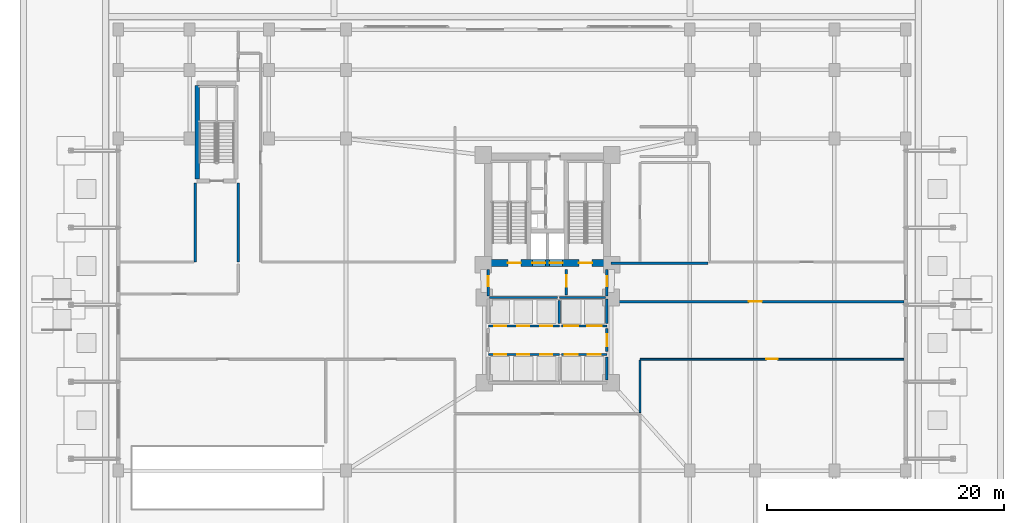
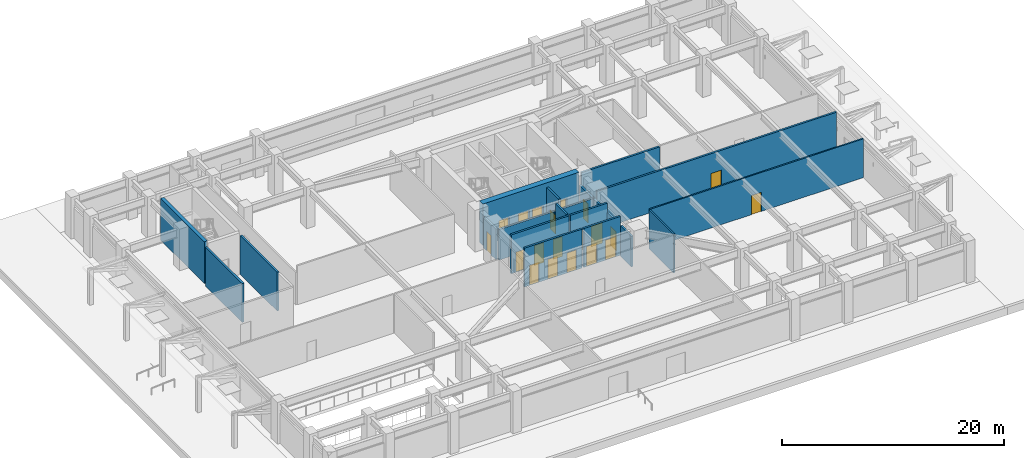
# One storey, part 17 of 23: 21 walls, 20 doors, 20 openings.
"""IFC4 building model written with IfcOpenShell, lengths in metres."""

from ifc_helpers import new_model, si_unit, direction, frame, frame_2d, origin, place, context, subcontext, project, spatial, rectangle, extrude, material, layer, layer_set, type_object, element, fill, save


model = new_model("IFC4")

# Units and contexts
model_context = context("Model", 3, precision=1e-05, world=origin(), true_north=direction((0.0, 1.0)))
body_context = subcontext(model_context, "Body", "Model", "MODEL_VIEW")
ifc_project = project(units=[si_unit("LENGTHUNIT", "METRE"), si_unit("AREAUNIT", "SQUARE_METRE"), si_unit("VOLUMEUNIT", "CUBIC_METRE"), si_unit("PLANEANGLEUNIT", "RADIAN"), si_unit("MASSUNIT", "GRAM", prefix="KILO")], contexts=[model_context])

# Site, building, storey
site_placement = place(None, origin())
site = spatial("IfcSite", under=ifc_project, at=site_placement, CompositionType="ELEMENT")
building_placement = place(site_placement, origin())
building = spatial("IfcBuilding", under=site, at=building_placement, Name="Varnakorn Sky Granary", CompositionType="ELEMENT")
storey_placement = place(building_placement, origin())
storey = spatial("IfcBuildingStorey", under=building, at=storey_placement, Name="L00", CompositionType="ELEMENT", Elevation=0.0)

# Wall
ifc_material_1 = material(Name="Concrete C50/60", Category="concrete")
ifc_layer_1 = layer(ifc_material_1, 0.35009765625, Name="Concrete C50/60")
ifc_layer_set_1 = layer_set([ifc_layer_1], Name="Concrete C50/60")
wall_type_1 = type_object("IfcWallType", Name="WT-CW-INT-350", PredefinedType="SHEAR", material=ifc_layer_set_1)
wall_1_placement = place(storey_placement, frame((-26.550048828125, 10.610107421875, 0.0), z_axis=(0.0, 0.0, 1.0), x_axis=(0.0, 1.0, 0.0)))
element("IfcWall", 1, at=wall_1_placement, inside=storey, type_object=wall_type_1, Name="Podium Stair ST-B3 West Wall L00", PredefinedType="SHEAR", context=body_context, shape_type="SweptSolid", body=[
    extrude(rectangle(XDim=7.8798828125, YDim=0.35009765625, at=frame_2d((3.93994140625, 0.0))), origin(), (0.0, 0.0, 1.0), 4.592041015625),
])

# Wall, openings, doors
ifc_material_2 = material(Name="Concrete C60/75", Category="concrete")
ifc_layer_2 = layer(ifc_material_2, 0.60009765625, Name="Concrete C60/75")
ifc_layer_set_2 = layer_set([ifc_layer_2], Name="Concrete C60/75")
wall_type_2 = type_object("IfcWallType", Name="WT-CW-SHEAR-600", PredefinedType="SHEAR", material=ifc_layer_set_2)
wall_2_placement = place(storey_placement, frame((-2.0, 3.5, 0.0), z_axis=(0.0, 0.0, 1.0), x_axis=(1.0, 0.0, 0.0)))
wall_2 = element("IfcWall", 2, at=wall_2_placement, inside=storey, type_object=wall_type_2, Name="Core South Shear Wall L00", PredefinedType="SHEAR", context=body_context, shape_type="SweptSolid", body=[
    extrude(rectangle(XDim=10.0, YDim=0.60009765625, at=frame_2d((5.0, 0.0))), origin(), (0.0, 0.0, 1.0), 4.592041015625),
])
opening_1_placement = place(wall_2_placement, frame((1.64990234375, 0.0, 0.0)))
opening_1 = element("IfcOpeningElement", 3, at=opening_1_placement, cuts=wall_2, Name="Opening FD-90", PredefinedType="OPENING", context=body_context, shape_type="SweptSolid", body=[
    extrude(rectangle(XDim=1.10009765625, YDim=2.14990234375, at=frame_2d((0.550048828125, 1.074951171875))), frame((0.0, 0.31005859375, 0.0), z_axis=(0.0, -1.0, 0.0), x_axis=(1.0, 0.0, 0.0)), (0.0, 0.0, 1.0), 0.6201171875),
])
opening_2_placement = place(wall_2_placement, frame((7.64990234375, 0.0, 0.0)))
opening_2 = element("IfcOpeningElement", 4, at=opening_2_placement, cuts=wall_2, Name="Opening FD-90", PredefinedType="OPENING", context=body_context, shape_type="SweptSolid", body=[
    extrude(rectangle(XDim=1.10009765625, YDim=2.14990234375, at=frame_2d((0.550048828125, 1.074951171875))), frame((0.0, 0.31005859375, 0.0), z_axis=(0.0, -1.0, 0.0), x_axis=(1.0, 0.0, 0.0)), (0.0, 0.0, 1.0), 0.6201171875),
])
opening_3_placement = place(wall_2_placement, frame((3.719970703125, 0.0, 0.0)))
opening_3 = element("IfcOpeningElement", 5, at=opening_3_placement, cuts=wall_2, Name="Opening LD-01", PredefinedType="OPENING", context=body_context, shape_type="SweptSolid", body=[
    extrude(rectangle(XDim=1.10009765625, YDim=2.199951171875, at=frame_2d((0.550048828125, 1.10009765625))), frame((0.0, 0.31005859375, 0.0), z_axis=(0.0, -1.0, 0.0), x_axis=(1.0, 0.0, 0.0)), (0.0, 0.0, 1.0), 0.6201171875),
])
opening_4_placement = place(wall_2_placement, frame((5.179931640625, 0.0, 0.0)))
opening_4 = element("IfcOpeningElement", 6, at=opening_4_placement, cuts=wall_2, Name="Opening LD-01", PredefinedType="OPENING", context=body_context, shape_type="SweptSolid", body=[
    extrude(rectangle(XDim=1.10009765625, YDim=2.199951171875, at=frame_2d((0.550048828125, 1.10009765625))), frame((0.0, 0.31005859375, 0.0), z_axis=(0.0, -1.0, 0.0), x_axis=(1.0, 0.0, 0.0)), (0.0, 0.0, 1.0), 0.6201171875),
])
ifc_material_3 = material(Name="Brushed Bronze Stainless Steel", Category="steel")
door_type_1 = type_object("IfcDoorType", Name="DR-LD-1100", OperationType="DOUBLE_DOOR_SLIDING", PredefinedType="DOOR", material=ifc_material_3)
door_1_placement = place(opening_3_placement, origin())
door_1 = element("IfcDoor", 7, at=door_1_placement, inside=storey, type_object=door_type_1, Name="Firefighting Lift FFL-1 Landing Door L00", OperationType="DOUBLE_DOOR_SLIDING", OverallHeight=2.199951171875, OverallWidth=1.10009765625, PredefinedType="DOOR", context=body_context, shape_type="SweptSolid", body=[
    extrude(rectangle(XDim=1.10009765625, YDim=2.199951171875, at=frame_2d((0.550048828125, 1.10009765625))), frame((0.0, 0.02490234375, 0.0), z_axis=(0.0, -1.0, 0.0), x_axis=(1.0, 0.0, 0.0)), (0.0, 0.0, 1.0), 0.050048828125),
])
fill(opening_3, door_1)
door_2_placement = place(opening_4_placement, origin())
door_2 = element("IfcDoor", 8, at=door_2_placement, inside=storey, type_object=door_type_1, Name="Firefighting Lift FFL-2 Landing Door L00", OperationType="DOUBLE_DOOR_SLIDING", OverallHeight=2.199951171875, OverallWidth=1.10009765625, PredefinedType="DOOR", context=body_context, shape_type="SweptSolid", body=[
    extrude(rectangle(XDim=1.10009765625, YDim=2.199951171875, at=frame_2d((0.550048828125, 1.10009765625))), frame((0.0, 0.02490234375, 0.0), z_axis=(0.0, -1.0, 0.0), x_axis=(1.0, 0.0, 0.0)), (0.0, 0.0, 1.0), 0.050048828125),
])
fill(opening_4, door_2)
ifc_material_4 = material(Name="Galvanised Painted Steel Leaf", Category="steel")
door_type_2 = type_object("IfcDoorType", Name="DR-STAIR-1100", OperationType="NOTDEFINED", PredefinedType="DOOR", material=ifc_material_4)
door_3_placement = place(opening_1_placement, origin())
door_3 = element("IfcDoor", 9, at=door_3_placement, inside=storey, type_object=door_type_2, Name="Stair ST-1 Protected Fire Door L00", OperationType="SINGLE_SWING_LEFT", OverallHeight=2.14990234375, OverallWidth=1.10009765625, PredefinedType="DOOR", context=body_context, shape_type="SweptSolid", body=[
    extrude(rectangle(XDim=1.10009765625, YDim=2.14990234375, at=frame_2d((0.550048828125, 1.074951171875))), frame((0.0, 0.02490234375, 0.0), z_axis=(0.0, -1.0, 0.0), x_axis=(1.0, 0.0, 0.0)), (0.0, 0.0, 1.0), 0.050048828125),
])
fill(opening_1, door_3)
door_4_placement = place(opening_2_placement, origin())
door_4 = element("IfcDoor", 10, at=door_4_placement, inside=storey, type_object=door_type_2, Name="Stair ST-2 Protected Fire Door L00", OperationType="SINGLE_SWING_RIGHT", OverallHeight=2.14990234375, OverallWidth=1.10009765625, PredefinedType="DOOR", context=body_context, shape_type="SweptSolid", body=[
    extrude(rectangle(XDim=1.10009765625, YDim=2.14990234375, at=frame_2d((0.550048828125, 1.074951171875))), frame((0.0, 0.02490234375, 0.0), z_axis=(0.0, -1.0, 0.0), x_axis=(1.0, 0.0, 0.0)), (0.0, 0.0, 1.0), 0.050048828125),
])
fill(opening_2, door_4)

# Wall, opening, door
ifc_material_5 = material(Name="Autoclaved Aerated Concrete Blockwork", Category="masonry")
ifc_layer_3 = layer(ifc_material_5, 0.199951171875, Name="Autoclaved Aerated Concrete Blockwork")
ifc_layer_set_3 = layer_set([ifc_layer_3], Name="Autoclaved Aerated Concrete Blockwork")
wall_type_3 = type_object("IfcWallType", Name="WT-FIRE-200", PredefinedType="MOVABLE", material=ifc_layer_set_3)
wall_3_placement = place(storey_placement, frame((4.580078125, 0.830078125, 0.0), z_axis=(0.0, 0.0, 1.0), x_axis=(0.0, 1.0, 0.0)))
wall_3 = element("IfcWall", 11, at=wall_3_placement, inside=storey, type_object=wall_type_3, Name="Interior Partition Wall L00-017", PredefinedType="MOVABLE", context=body_context, shape_type="SweptSolid", body=[
    extrude(rectangle(XDim=2.139892578125, YDim=0.199951171875, at=frame_2d((1.06982421875, 0.0))), origin(), (0.0, 0.0, 1.0), 4.280029296875),
])
opening_5_placement = place(wall_3_placement, frame((0.659912109375, 0.0, 0.0)))
opening_5 = element("IfcOpeningElement", 12, at=opening_5_placement, cuts=wall_3, Name="Opening FD-60", PredefinedType="OPENING", context=body_context, shape_type="SweptSolid", body=[
    extrude(rectangle(XDim=1.0, YDim=2.10009765625, at=frame_2d((0.5, 1.050048828125))), frame((0.0, 0.10986328125, 0.0), z_axis=(0.0, -1.0, 0.0), x_axis=(1.0, 0.0, 0.0)), (0.0, 0.0, 1.0), 0.219970703125),
])
ifc_material_6 = material(Name="Acoustic Timber Fire Leaf", Category="wood")
door_type_3 = type_object("IfcDoorType", Name="DR-FD60-1000", OperationType="NOTDEFINED", PredefinedType="DOOR", material=ifc_material_6)
door_5_placement = place(opening_5_placement, origin())
door_5 = element("IfcDoor", 13, at=door_5_placement, inside=storey, type_object=door_type_3, Name="Interior Door L00-017-1", OperationType="SINGLE_SWING_LEFT", OverallHeight=2.10009765625, OverallWidth=1.0, PredefinedType="DOOR", context=body_context, shape_type="SweptSolid", body=[
    extrude(rectangle(XDim=1.0, YDim=2.10009765625, at=frame_2d((0.5, 1.050048828125))), frame((0.0, 0.02490234375, 0.0), z_axis=(0.0, -1.0, 0.0), x_axis=(1.0, 0.0, 0.0)), (0.0, 0.0, 1.0), 0.050048828125),
])
fill(opening_5, door_5)

wall_4_placement = place(storey_placement, frame((-2.0, 0.719970703125, 0.0), z_axis=(0.0, 0.0, 1.0), x_axis=(0.0, 1.0, 0.0)))
wall_4 = element("IfcWall", 14, at=wall_4_placement, inside=storey, type_object=wall_type_3, Name="Interior Partition Wall L00-018", PredefinedType="MOVABLE", context=body_context, shape_type="SweptSolid", body=[
    extrude(rectangle(XDim=2.25, YDim=0.199951171875, at=frame_2d((1.125, 0.0))), origin(), (0.0, 0.0, 1.0), 3.362060546875),
])
opening_6_placement = place(wall_4_placement, frame((0.844970703125, 0.0, 0.0)))
opening_6 = element("IfcOpeningElement", 15, at=opening_6_placement, cuts=wall_4, Name="Opening FD-60N", PredefinedType="OPENING", context=body_context, shape_type="SweptSolid", body=[
    extrude(rectangle(XDim=0.85009765625, YDim=2.10009765625, at=frame_2d((0.425048828125, 1.050048828125))), frame((0.0, 0.10986328125, 0.0), z_axis=(0.0, -1.0, 0.0), x_axis=(1.0, 0.0, 0.0)), (0.0, 0.0, 1.0), 0.219970703125),
])
door_type_4 = type_object("IfcDoorType", Name="DR-FD60-850", OperationType="NOTDEFINED", PredefinedType="DOOR", material=ifc_material_6)
door_6_placement = place(opening_6_placement, origin())
door_6 = element("IfcDoor", 16, at=door_6_placement, inside=storey, type_object=door_type_4, Name="Interior Door L00-018-1", OperationType="SINGLE_SWING_RIGHT", OverallHeight=2.10009765625, OverallWidth=0.85009765625, PredefinedType="DOOR", context=body_context, shape_type="SweptSolid", body=[
    extrude(rectangle(XDim=0.85009765625, YDim=2.10009765625, at=frame_2d((0.425048828125, 1.050048828125))), frame((0.0, 0.02490234375, 0.0), z_axis=(0.0, -1.0, 0.0), x_axis=(1.0, 0.0, 0.0)), (0.0, 0.0, 1.0), 0.050048828125),
])
fill(opening_6, door_6)

wall_5_placement = place(storey_placement, frame((8.0, 0.719970703125, 0.0), z_axis=(0.0, 0.0, 1.0), x_axis=(0.0, 1.0, 0.0)))
wall_5 = element("IfcWall", 17, at=wall_5_placement, inside=storey, type_object=wall_type_3, Name="Interior Partition Wall L00-019", PredefinedType="MOVABLE", context=body_context, shape_type="SweptSolid", body=[
    extrude(rectangle(XDim=2.25, YDim=0.199951171875, at=frame_2d((1.125, 0.0))), origin(), (0.0, 0.0, 1.0), 3.362060546875),
])
opening_7_placement = place(wall_5_placement, frame((0.844970703125, 0.0, 0.0)))
opening_7 = element("IfcOpeningElement", 18, at=opening_7_placement, cuts=wall_5, Name="Opening FD-60N", PredefinedType="OPENING", context=body_context, shape_type="SweptSolid", body=[
    extrude(rectangle(XDim=0.85009765625, YDim=2.10009765625, at=frame_2d((0.425048828125, 1.050048828125))), frame((0.0, 0.10986328125, 0.0), z_axis=(0.0, -1.0, 0.0), x_axis=(1.0, 0.0, 0.0)), (0.0, 0.0, 1.0), 0.219970703125),
])
door_7_placement = place(opening_7_placement, origin())
door_7 = element("IfcDoor", 19, at=door_7_placement, inside=storey, type_object=door_type_4, Name="Interior Door L00-019-1", OperationType="SINGLE_SWING_LEFT", OverallHeight=2.10009765625, OverallWidth=0.85009765625, PredefinedType="DOOR", context=body_context, shape_type="SweptSolid", body=[
    extrude(rectangle(XDim=0.85009765625, YDim=2.10009765625, at=frame_2d((0.425048828125, 1.050048828125))), frame((0.0, 0.02490234375, 0.0), z_axis=(0.0, -1.0, 0.0), x_axis=(1.0, 0.0, 0.0)), (0.0, 0.0, 1.0), 0.050048828125),
])
fill(opening_7, door_7)

wall_6_placement = place(storey_placement, frame((8.0, -3.969970703125, 0.0), z_axis=(0.0, 0.0, 1.0), x_axis=(0.0, 1.0, 0.0)))
wall_6 = element("IfcWall", 20, at=wall_6_placement, inside=storey, type_object=wall_type_3, Name="Interior Partition Wall L00-021", PredefinedType="MOVABLE", context=body_context, shape_type="SweptSolid", body=[
    extrude(rectangle(XDim=1.93994140625, YDim=0.199951171875, at=frame_2d((0.969970703125, 0.0))), origin(), (0.0, 0.0, 1.0), 3.362060546875),
])
opening_8_placement = place(wall_6_placement, frame((0.469970703125, 0.0, 0.0)))
opening_8 = element("IfcOpeningElement", 21, at=opening_8_placement, cuts=wall_6, Name="Opening FD-60", PredefinedType="OPENING", context=body_context, shape_type="SweptSolid", body=[
    extrude(rectangle(XDim=1.0, YDim=2.10009765625, at=frame_2d((0.5, 1.050048828125))), frame((0.0, 0.10986328125, 0.0), z_axis=(0.0, -1.0, 0.0), x_axis=(1.0, 0.0, 0.0)), (0.0, 0.0, 1.0), 0.219970703125),
])
door_8_placement = place(opening_8_placement, origin())
door_8 = element("IfcDoor", 22, at=door_8_placement, inside=storey, type_object=door_type_3, Name="Interior Door L00-021-1", OperationType="SINGLE_SWING_LEFT", OverallHeight=2.10009765625, OverallWidth=1.0, PredefinedType="DOOR", context=body_context, shape_type="SweptSolid", body=[
    extrude(rectangle(XDim=1.0, YDim=2.10009765625, at=frame_2d((0.5, 1.050048828125))), frame((0.0, 0.02490234375, 0.0), z_axis=(0.0, -1.0, 0.0), x_axis=(1.0, 0.0, 0.0)), (0.0, 0.0, 1.0), 0.050048828125),
])
fill(opening_8, door_8)

wall_7_placement = place(storey_placement, frame((8.110107421875, 0.25, 0.0), z_axis=(0.0, 0.0, 1.0), x_axis=(1.0, 0.0, 0.0)))
wall_7 = element("IfcWall", 23, at=wall_7_placement, inside=storey, type_object=wall_type_3, Name="Interior Partition Wall L00-023", PredefinedType="MOVABLE", context=body_context, shape_type="SweptSolid", body=[
    extrude(rectangle(XDim=24.93994140625, YDim=0.199951171875, at=frame_2d((12.469970703125, 0.0))), origin(), (0.0, 0.0, 1.0), 4.280029296875),
])
opening_9_placement = place(wall_7_placement, frame((11.864990234375, 0.0, 0.0)))
opening_9 = element("IfcOpeningElement", 24, at=opening_9_placement, cuts=wall_7, Name="Opening FD-60W", PredefinedType="OPENING", context=body_context, shape_type="SweptSolid", body=[
    extrude(rectangle(XDim=1.10009765625, YDim=2.10009765625, at=frame_2d((0.550048828125, 1.050048828125))), frame((0.0, 0.10986328125, 0.0), z_axis=(0.0, -1.0, 0.0), x_axis=(1.0, 0.0, 0.0)), (0.0, 0.0, 1.0), 0.219970703125),
])
door_type_5 = type_object("IfcDoorType", Name="DR-FD60-1100", OperationType="NOTDEFINED", PredefinedType="DOOR", material=ifc_material_4)
door_9_placement = place(opening_9_placement, origin())
door_9 = element("IfcDoor", 25, at=door_9_placement, inside=storey, type_object=door_type_5, Name="Interior Door L00-023-1", OperationType="SINGLE_SWING_LEFT", OverallHeight=2.10009765625, OverallWidth=1.10009765625, PredefinedType="DOOR", context=body_context, shape_type="SweptSolid", body=[
    extrude(rectangle(XDim=1.10009765625, YDim=2.10009765625, at=frame_2d((0.550048828125, 1.050048828125))), frame((0.0, 0.02490234375, 0.0), z_axis=(0.0, -1.0, 0.0), x_axis=(1.0, 0.0, 0.0)), (0.0, 0.0, 1.0), 0.050048828125),
])
fill(opening_9, door_9)

# Walls
wall_8_placement = place(storey_placement, frame((-1.8798828125, 0.60009765625, 0.0), z_axis=(0.0, 0.0, 1.0), x_axis=(1.0, 0.0, 0.0)))
element("IfcWall", 26, at=wall_8_placement, inside=storey, type_object=wall_type_3, Name="Interior Partition Wall L00-033", PredefinedType="MOVABLE", context=body_context, shape_type="SweptSolid", body=[
    extrude(rectangle(XDim=5.719970703125, YDim=0.199951171875, at=frame_2d((2.85986328125, 0.0))), origin(), (0.0, 0.0, 1.0), 3.362060546875),
])
wall_9_placement = place(storey_placement, frame((-23.10009765625, 10.25, 0.0), z_axis=(0.0, 0.0, 1.0), x_axis=(0.0, -1.0, 0.0)))
element("IfcWall", 27, at=wall_9_placement, inside=storey, type_object=wall_type_3, Name="Interior Partition Wall L00-034", PredefinedType="MOVABLE", context=body_context, shape_type="SweptSolid", body=[
    extrude(rectangle(XDim=6.64990234375, YDim=0.199951171875, at=frame_2d((3.324951171875, 0.0))), origin(), (0.0, 0.0, 1.0), 4.280029296875),
])
wall_10_placement = place(storey_placement, frame((16.514892578125, 3.5, 0.0), z_axis=(0.0, 0.0, 1.0), x_axis=(-1.0, 0.0, 0.0)))
element("IfcWall", 28, at=wall_10_placement, inside=storey, type_object=wall_type_3, Name="Interior Partition Wall L00-036", PredefinedType="MOVABLE", context=body_context, shape_type="SweptSolid", body=[
    extrude(rectangle(XDim=8.15478515625, YDim=0.199951171875, at=frame_2d((4.077392578125, 0.0))), origin(), (0.0, 0.0, 1.0), 4.280029296875),
])
wall_11_placement = place(storey_placement, frame((-26.72998046875, 10.25, 0.0), z_axis=(0.0, 0.0, 1.0), x_axis=(0.0, -1.0, 0.0)))
element("IfcWall", 29, at=wall_11_placement, inside=storey, type_object=wall_type_3, Name="Interior Partition Wall L00-048", PredefinedType="MOVABLE", context=body_context, shape_type="SweptSolid", body=[
    extrude(rectangle(XDim=6.64990234375, YDim=0.199951171875, at=frame_2d((3.324951171875, 0.0))), origin(), (0.0, 0.0, 1.0), 4.280029296875),
])

# Wall, opening, door
ifc_material_7 = material(Name="Gypsum Plasterboard on Steel Stud", Category="steel")
ifc_layer_4 = layer(ifc_material_7, 0.14990234375, Name="Gypsum Plasterboard on Steel Stud")
ifc_layer_set_4 = layer_set([ifc_layer_4], Name="Gypsum Plasterboard on Steel Stud")
wall_type_4 = type_object("IfcWallType", Name="WT-PART-150", PredefinedType="PARTITIONING", material=ifc_layer_set_4)
wall_12_placement = place(storey_placement, frame((10.800048828125, -4.60009765625, 0.0), z_axis=(0.0, 0.0, 1.0), x_axis=(1.0, 0.0, 0.0)))
wall_12 = element("IfcWall", 30, at=wall_12_placement, inside=storey, type_object=wall_type_4, Name="Interior Partition Wall L00-025", PredefinedType="PARTITIONING", context=body_context, shape_type="SweptSolid", body=[
    extrude(rectangle(XDim=22.25, YDim=0.14990234375, at=frame_2d((11.125, 0.0))), origin(), (0.0, 0.0, 1.0), 4.280029296875),
])
opening_10_placement = place(wall_12_placement, frame((10.625, 0.0, 0.0)))
opening_10 = element("IfcOpeningElement", 31, at=opening_10_placement, cuts=wall_12, Name="Opening ID-100", PredefinedType="OPENING", context=body_context, shape_type="SweptSolid", body=[
    extrude(rectangle(XDim=1.0, YDim=2.10009765625, at=frame_2d((0.5, 1.050048828125))), frame((0.0, 0.0849609375, 0.0), z_axis=(0.0, -1.0, 0.0), x_axis=(1.0, 0.0, 0.0)), (0.0, 0.0, 1.0), 0.169921875),
])
ifc_material_8 = material(Name="Solid-Core Teak Veneer Leaf", Category="timber")
door_type_6 = type_object("IfcDoorType", Name="DR-INT-1000", OperationType="NOTDEFINED", PredefinedType="DOOR", material=ifc_material_8)
door_10_placement = place(opening_10_placement, origin())
door_10 = element("IfcDoor", 32, at=door_10_placement, inside=storey, type_object=door_type_6, Name="Interior Door L00-025-1", OperationType="SINGLE_SWING_LEFT", OverallHeight=2.10009765625, OverallWidth=1.0, PredefinedType="DOOR", context=body_context, shape_type="SweptSolid", body=[
    extrude(rectangle(XDim=1.0, YDim=2.10009765625, at=frame_2d((0.5, 1.050048828125))), frame((0.0, 0.02490234375, 0.0), z_axis=(0.0, -1.0, 0.0), x_axis=(1.0, 0.0, 0.0)), (0.0, 0.0, 1.0), 0.050048828125),
])
fill(opening_10, door_10)

# Walls
wall_13_placement = place(storey_placement, frame((10.800048828125, -9.114990234375, 0.0), z_axis=(0.0, 0.0, 1.0), x_axis=(0.0, 1.0, 0.0)))
element("IfcWall", 33, at=wall_13_placement, inside=storey, type_object=wall_type_4, Name="Interior Partition Wall L00-038", PredefinedType="PARTITIONING", context=body_context, shape_type="SweptSolid", body=[
    extrude(rectangle(XDim=4.429931640625, YDim=0.14990234375, at=frame_2d((2.21484375, 0.0))), origin(), (0.0, 0.0, 1.0), 4.280029296875),
])
ifc_layer_5 = layer(ifc_material_5, 0.199951171875, Name="Autoclaved Aerated Concrete Blockwork")
ifc_layer_set_5 = layer_set([ifc_layer_5], Name="Autoclaved Aerated Concrete Blockwork")
wall_type_5 = type_object("IfcWallType", Name="WT-SHAFT-200", PredefinedType="SOLIDWALL", material=ifc_layer_set_5)
wall_14_placement = place(storey_placement, frame((4.0, 0.60009765625, 0.0), z_axis=(0.0, 0.0, 1.0), x_axis=(1.0, 0.0, 0.0)))
element("IfcWall", 34, at=wall_14_placement, inside=storey, type_object=wall_type_5, Name="Interior Partition Wall L00-003", PredefinedType="SOLIDWALL", context=body_context, shape_type="SweptSolid", body=[
    extrude(rectangle(XDim=3.8798828125, YDim=0.199951171875, at=frame_2d((1.93994140625, 0.0))), origin(), (0.0, 0.0, 1.0), 3.362060546875),
])

# Wall, openings, doors
wall_15_placement = place(storey_placement, frame((-2.0, -1.800048828125, 0.0), z_axis=(0.0, 0.0, 1.0), x_axis=(1.0, 0.0, 0.0)))
wall_15 = element("IfcWall", 35, at=wall_15_placement, inside=storey, type_object=wall_type_5, Name="Interior Partition Wall L00-004", PredefinedType="SOLIDWALL", context=body_context, shape_type="SweptSolid", body=[
    extrude(rectangle(XDim=6.0, YDim=0.199951171875, at=frame_2d((3.0, 0.0))), origin(), (0.0, 0.0, 1.0), 4.280029296875),
])
opening_11_placement = place(wall_15_placement, frame((0.5, 0.0, 0.0)))
opening_11 = element("IfcOpeningElement", 36, at=opening_11_placement, cuts=wall_15, Name="Opening LD-03", PredefinedType="OPENING", context=body_context, shape_type="SweptSolid", body=[
    extrude(rectangle(XDim=1.0, YDim=2.199951171875, at=frame_2d((0.5, 1.10009765625))), frame((0.0, 0.10986328125, 0.0), z_axis=(0.0, -1.0, 0.0), x_axis=(1.0, 0.0, 0.0)), (0.0, 0.0, 1.0), 0.219970703125),
])
opening_12_placement = place(wall_15_placement, frame((2.449951171875, 0.0, 0.0)))
opening_12 = element("IfcOpeningElement", 37, at=opening_12_placement, cuts=wall_15, Name="Opening LD-03", PredefinedType="OPENING", context=body_context, shape_type="SweptSolid", body=[
    extrude(rectangle(XDim=1.0, YDim=2.199951171875, at=frame_2d((0.5, 1.10009765625))), frame((0.0, 0.10986328125, 0.0), z_axis=(0.0, -1.0, 0.0), x_axis=(1.0, 0.0, 0.0)), (0.0, 0.0, 1.0), 0.219970703125),
])
opening_13_placement = place(wall_15_placement, frame((4.39990234375, 0.0, 0.0)))
opening_13 = element("IfcOpeningElement", 38, at=opening_13_placement, cuts=wall_15, Name="Opening LD-03", PredefinedType="OPENING", context=body_context, shape_type="SweptSolid", body=[
    extrude(rectangle(XDim=1.0, YDim=2.199951171875, at=frame_2d((0.5, 1.10009765625))), frame((0.0, 0.10986328125, 0.0), z_axis=(0.0, -1.0, 0.0), x_axis=(1.0, 0.0, 0.0)), (0.0, 0.0, 1.0), 0.219970703125),
])
door_type_7 = type_object("IfcDoorType", Name="DR-LD-1000", OperationType="DOUBLE_DOOR_SLIDING", PredefinedType="DOOR", material=ifc_material_3)
door_11_placement = place(opening_11_placement, origin())
door_11 = element("IfcDoor", 39, at=door_11_placement, inside=storey, type_object=door_type_7, Name="Passenger Lift PL-L1 Sliding Landing Door L00", OperationType="DOUBLE_DOOR_SLIDING", OverallHeight=2.199951171875, OverallWidth=1.0, PredefinedType="DOOR", context=body_context, shape_type="SweptSolid", body=[
    extrude(rectangle(XDim=1.0, YDim=2.199951171875, at=frame_2d((0.5, 1.10009765625))), frame((0.0, 0.02490234375, 0.0), z_axis=(0.0, -1.0, 0.0), x_axis=(1.0, 0.0, 0.0)), (0.0, 0.0, 1.0), 0.050048828125),
])
fill(opening_11, door_11)
door_12_placement = place(opening_12_placement, origin())
door_12 = element("IfcDoor", 40, at=door_12_placement, inside=storey, type_object=door_type_7, Name="Passenger Lift PL-L2 Sliding Landing Door L00", OperationType="DOUBLE_DOOR_SLIDING", OverallHeight=2.199951171875, OverallWidth=1.0, PredefinedType="DOOR", context=body_context, shape_type="SweptSolid", body=[
    extrude(rectangle(XDim=1.0, YDim=2.199951171875, at=frame_2d((0.5, 1.10009765625))), frame((0.0, 0.02490234375, 0.0), z_axis=(0.0, -1.0, 0.0), x_axis=(1.0, 0.0, 0.0)), (0.0, 0.0, 1.0), 0.050048828125),
])
fill(opening_12, door_12)
door_13_placement = place(opening_13_placement, origin())
door_13 = element("IfcDoor", 41, at=door_13_placement, inside=storey, type_object=door_type_7, Name="Passenger Lift PL-L3 Sliding Landing Door L00", OperationType="DOUBLE_DOOR_SLIDING", OverallHeight=2.199951171875, OverallWidth=1.0, PredefinedType="DOOR", context=body_context, shape_type="SweptSolid", body=[
    extrude(rectangle(XDim=1.0, YDim=2.199951171875, at=frame_2d((0.5, 1.10009765625))), frame((0.0, 0.02490234375, 0.0), z_axis=(0.0, -1.0, 0.0), x_axis=(1.0, 0.0, 0.0)), (0.0, 0.0, 1.0), 0.050048828125),
])
fill(opening_13, door_13)

wall_16_placement = place(storey_placement, frame((4.159912109375, -1.800048828125, 0.0), z_axis=(0.0, 0.0, 1.0), x_axis=(1.0, 0.0, 0.0)))
wall_16 = element("IfcWall", 42, at=wall_16_placement, inside=storey, type_object=wall_type_5, Name="Interior Partition Wall L00-006", PredefinedType="SOLIDWALL", context=body_context, shape_type="SweptSolid", body=[
    extrude(rectangle(XDim=3.840087890625, YDim=0.199951171875, at=frame_2d((1.919921875, 0.0))), origin(), (0.0, 0.0, 1.0), 4.280029296875),
])
opening_14_placement = place(wall_16_placement, frame((0.239990234375, 0.0, 0.0)))
opening_14 = element("IfcOpeningElement", 43, at=opening_14_placement, cuts=wall_16, Name="Opening LD-02", PredefinedType="OPENING", context=body_context, shape_type="SweptSolid", body=[
    extrude(rectangle(XDim=1.199951171875, YDim=2.25, at=frame_2d((0.60009765625, 1.125))), frame((0.0, 0.10986328125, 0.0), z_axis=(0.0, -1.0, 0.0), x_axis=(1.0, 0.0, 0.0)), (0.0, 0.0, 1.0), 0.219970703125),
])
opening_15_placement = place(wall_16_placement, frame((2.199951171875, 0.0, 0.0)))
opening_15 = element("IfcOpeningElement", 44, at=opening_15_placement, cuts=wall_16, Name="Opening LD-02", PredefinedType="OPENING", context=body_context, shape_type="SweptSolid", body=[
    extrude(rectangle(XDim=1.199951171875, YDim=2.25, at=frame_2d((0.60009765625, 1.125))), frame((0.0, 0.10986328125, 0.0), z_axis=(0.0, -1.0, 0.0), x_axis=(1.0, 0.0, 0.0)), (0.0, 0.0, 1.0), 0.219970703125),
])
door_type_8 = type_object("IfcDoorType", Name="DR-LD-1200", OperationType="DOUBLE_DOOR_SLIDING", PredefinedType="DOOR", material=ifc_material_3)
door_14_placement = place(opening_14_placement, origin())
door_14 = element("IfcDoor", 45, at=door_14_placement, inside=storey, type_object=door_type_8, Name="Passenger Lift EL-OBS1 Sliding Landing Door L00", OperationType="DOUBLE_DOOR_SLIDING", OverallHeight=2.25, OverallWidth=1.199951171875, PredefinedType="DOOR", context=body_context, shape_type="SweptSolid", body=[
    extrude(rectangle(XDim=1.199951171875, YDim=2.25, at=frame_2d((0.60009765625, 1.125))), frame((0.0, 0.02490234375, 0.0), z_axis=(0.0, -1.0, 0.0), x_axis=(1.0, 0.0, 0.0)), (0.0, 0.0, 1.0), 0.050048828125),
])
fill(opening_14, door_14)
door_15_placement = place(opening_15_placement, origin())
door_15 = element("IfcDoor", 46, at=door_15_placement, inside=storey, type_object=door_type_8, Name="Passenger Lift EL-OBS2 Sliding Landing Door L00", OperationType="DOUBLE_DOOR_SLIDING", OverallHeight=2.25, OverallWidth=1.199951171875, PredefinedType="DOOR", context=body_context, shape_type="SweptSolid", body=[
    extrude(rectangle(XDim=1.199951171875, YDim=2.25, at=frame_2d((0.60009765625, 1.125))), frame((0.0, 0.02490234375, 0.0), z_axis=(0.0, -1.0, 0.0), x_axis=(1.0, 0.0, 0.0)), (0.0, 0.0, 1.0), 0.050048828125),
])
fill(opening_15, door_15)

# Walls
wall_17_placement = place(storey_placement, frame((4.0, -1.570068359375, 0.0), z_axis=(0.0, 0.0, 1.0), x_axis=(0.0, 1.0, 0.0)))
element("IfcWall", 47, at=wall_17_placement, inside=storey, type_object=wall_type_5, Name="Interior Partition Wall L00-007", PredefinedType="SOLIDWALL", context=body_context, shape_type="SweptSolid", body=[
    extrude(rectangle(XDim=1.940185546875, YDim=0.199951171875, at=frame_2d((0.97021484375, 0.0))), origin(), (0.0, 0.0, 1.0), 4.280029296875),
])
wall_18_placement = place(storey_placement, frame((8.0, -1.570068359375, 0.0), z_axis=(0.0, 0.0, 1.0), x_axis=(0.0, 1.0, 0.0)))
element("IfcWall", 48, at=wall_18_placement, inside=storey, type_object=wall_type_5, Name="Interior Partition Wall L00-008", PredefinedType="SOLIDWALL", context=body_context, shape_type="SweptSolid", body=[
    extrude(rectangle(XDim=2.050048828125, YDim=0.199951171875, at=frame_2d((1.02490234375, 0.0))), origin(), (0.0, 0.0, 1.0), 3.362060546875),
])

# Wall, openings, doors
wall_19_placement = place(storey_placement, frame((-2.0, -4.199951171875, 0.0), z_axis=(0.0, 0.0, 1.0), x_axis=(1.0, 0.0, 0.0)))
wall_19 = element("IfcWall", 49, at=wall_19_placement, inside=storey, type_object=wall_type_5, Name="Interior Partition Wall L00-009", PredefinedType="SOLIDWALL", context=body_context, shape_type="SweptSolid", body=[
    extrude(rectangle(XDim=6.0, YDim=0.199951171875, at=frame_2d((3.0, 0.0))), origin(), (0.0, 0.0, 1.0), 4.280029296875),
])
opening_16_placement = place(wall_19_placement, frame((0.5, 0.0, 0.0)))
opening_16 = element("IfcOpeningElement", 50, at=opening_16_placement, cuts=wall_19, Name="Opening LD-03", PredefinedType="OPENING", context=body_context, shape_type="SweptSolid", body=[
    extrude(rectangle(XDim=1.0, YDim=2.199951171875, at=frame_2d((0.5, 1.10009765625))), frame((0.0, 0.10986328125, 0.0), z_axis=(0.0, -1.0, 0.0), x_axis=(1.0, 0.0, 0.0)), (0.0, 0.0, 1.0), 0.219970703125),
])
opening_17_placement = place(wall_19_placement, frame((2.449951171875, 0.0, 0.0)))
opening_17 = element("IfcOpeningElement", 51, at=opening_17_placement, cuts=wall_19, Name="Opening LD-03", PredefinedType="OPENING", context=body_context, shape_type="SweptSolid", body=[
    extrude(rectangle(XDim=1.0, YDim=2.199951171875, at=frame_2d((0.5, 1.10009765625))), frame((0.0, 0.10986328125, 0.0), z_axis=(0.0, -1.0, 0.0), x_axis=(1.0, 0.0, 0.0)), (0.0, 0.0, 1.0), 0.219970703125),
])
opening_18_placement = place(wall_19_placement, frame((4.39990234375, 0.0, 0.0)))
opening_18 = element("IfcOpeningElement", 52, at=opening_18_placement, cuts=wall_19, Name="Opening LD-03", PredefinedType="OPENING", context=body_context, shape_type="SweptSolid", body=[
    extrude(rectangle(XDim=1.0, YDim=2.199951171875, at=frame_2d((0.5, 1.10009765625))), frame((0.0, 0.10986328125, 0.0), z_axis=(0.0, -1.0, 0.0), x_axis=(1.0, 0.0, 0.0)), (0.0, 0.0, 1.0), 0.219970703125),
])
door_16_placement = place(opening_16_placement, origin())
door_16 = element("IfcDoor", 53, at=door_16_placement, inside=storey, type_object=door_type_7, Name="Passenger Lift PL-M1 Sliding Landing Door L00", OperationType="DOUBLE_DOOR_SLIDING", OverallHeight=2.199951171875, OverallWidth=1.0, PredefinedType="DOOR", context=body_context, shape_type="SweptSolid", body=[
    extrude(rectangle(XDim=1.0, YDim=2.199951171875, at=frame_2d((0.5, 1.10009765625))), frame((0.0, 0.02490234375, 0.0), z_axis=(0.0, -1.0, 0.0), x_axis=(1.0, 0.0, 0.0)), (0.0, 0.0, 1.0), 0.050048828125),
])
fill(opening_16, door_16)
door_17_placement = place(opening_17_placement, origin())
door_17 = element("IfcDoor", 54, at=door_17_placement, inside=storey, type_object=door_type_7, Name="Passenger Lift PL-M2 Sliding Landing Door L00", OperationType="DOUBLE_DOOR_SLIDING", OverallHeight=2.199951171875, OverallWidth=1.0, PredefinedType="DOOR", context=body_context, shape_type="SweptSolid", body=[
    extrude(rectangle(XDim=1.0, YDim=2.199951171875, at=frame_2d((0.5, 1.10009765625))), frame((0.0, 0.02490234375, 0.0), z_axis=(0.0, -1.0, 0.0), x_axis=(1.0, 0.0, 0.0)), (0.0, 0.0, 1.0), 0.050048828125),
])
fill(opening_17, door_17)
door_18_placement = place(opening_18_placement, origin())
door_18 = element("IfcDoor", 55, at=door_18_placement, inside=storey, type_object=door_type_7, Name="Passenger Lift PL-M3 Sliding Landing Door L00", OperationType="DOUBLE_DOOR_SLIDING", OverallHeight=2.199951171875, OverallWidth=1.0, PredefinedType="DOOR", context=body_context, shape_type="SweptSolid", body=[
    extrude(rectangle(XDim=1.0, YDim=2.199951171875, at=frame_2d((0.5, 1.10009765625))), frame((0.0, 0.02490234375, 0.0), z_axis=(0.0, -1.0, 0.0), x_axis=(1.0, 0.0, 0.0)), (0.0, 0.0, 1.0), 0.050048828125),
])
fill(opening_18, door_18)

wall_20_placement = place(storey_placement, frame((4.159912109375, -4.199951171875, 0.0), z_axis=(0.0, 0.0, 1.0), x_axis=(1.0, 0.0, 0.0)))
wall_20 = element("IfcWall", 56, at=wall_20_placement, inside=storey, type_object=wall_type_5, Name="Interior Partition Wall L00-012", PredefinedType="SOLIDWALL", context=body_context, shape_type="SweptSolid", body=[
    extrude(rectangle(XDim=3.840087890625, YDim=0.199951171875, at=frame_2d((1.919921875, 0.0))), origin(), (0.0, 0.0, 1.0), 4.280029296875),
])
opening_19_placement = place(wall_20_placement, frame((0.27001953125, 0.0, 0.0)))
opening_19 = element("IfcOpeningElement", 57, at=opening_19_placement, cuts=wall_20, Name="Opening LD-01", PredefinedType="OPENING", context=body_context, shape_type="SweptSolid", body=[
    extrude(rectangle(XDim=1.10009765625, YDim=2.199951171875, at=frame_2d((0.550048828125, 1.10009765625))), frame((0.0, 0.10986328125, 0.0), z_axis=(0.0, -1.0, 0.0), x_axis=(1.0, 0.0, 0.0)), (0.0, 0.0, 1.0), 0.219970703125),
])
opening_20_placement = place(wall_20_placement, frame((2.239990234375, 0.0, 0.0)))
opening_20 = element("IfcOpeningElement", 58, at=opening_20_placement, cuts=wall_20, Name="Opening LD-01", PredefinedType="OPENING", context=body_context, shape_type="SweptSolid", body=[
    extrude(rectangle(XDim=1.10009765625, YDim=2.199951171875, at=frame_2d((0.550048828125, 1.10009765625))), frame((0.0, 0.10986328125, 0.0), z_axis=(0.0, -1.0, 0.0), x_axis=(1.0, 0.0, 0.0)), (0.0, 0.0, 1.0), 0.219970703125),
])
door_19_placement = place(opening_19_placement, origin())
door_19 = element("IfcDoor", 59, at=door_19_placement, inside=storey, type_object=door_type_1, Name="Passenger Lift PL-H1 Sliding Landing Door L00", OperationType="DOUBLE_DOOR_SLIDING", OverallHeight=2.199951171875, OverallWidth=1.10009765625, PredefinedType="DOOR", context=body_context, shape_type="SweptSolid", body=[
    extrude(rectangle(XDim=1.10009765625, YDim=2.199951171875, at=frame_2d((0.550048828125, 1.10009765625))), frame((0.0, 0.02490234375, 0.0), z_axis=(0.0, -1.0, 0.0), x_axis=(1.0, 0.0, 0.0)), (0.0, 0.0, 1.0), 0.050048828125),
])
fill(opening_19, door_19)
door_20_placement = place(opening_20_placement, origin())
door_20 = element("IfcDoor", 60, at=door_20_placement, inside=storey, type_object=door_type_1, Name="Passenger Lift PL-H2 Sliding Landing Door L00", OperationType="DOUBLE_DOOR_SLIDING", OverallHeight=2.199951171875, OverallWidth=1.10009765625, PredefinedType="DOOR", context=body_context, shape_type="SweptSolid", body=[
    extrude(rectangle(XDim=1.10009765625, YDim=2.199951171875, at=frame_2d((0.550048828125, 1.10009765625))), frame((0.0, 0.02490234375, 0.0), z_axis=(0.0, -1.0, 0.0), x_axis=(1.0, 0.0, 0.0)), (0.0, 0.0, 1.0), 0.050048828125),
])
fill(opening_20, door_20)

# Wall
wall_21_placement = place(storey_placement, frame((8.0, -6.3701171875, 0.0), z_axis=(0.0, 0.0, 1.0), x_axis=(0.0, 1.0, 0.0)))
element("IfcWall", 61, at=wall_21_placement, inside=storey, type_object=wall_type_5, Name="Interior Partition Wall L00-015", PredefinedType="SOLIDWALL", context=body_context, shape_type="SweptSolid", body=[
    extrude(rectangle(XDim=1.940185546875, YDim=0.199951171875, at=frame_2d((0.97021484375, 0.0))), origin(), (0.0, 0.0, 1.0), 3.362060546875),
])

save(model, "model.ifc")
